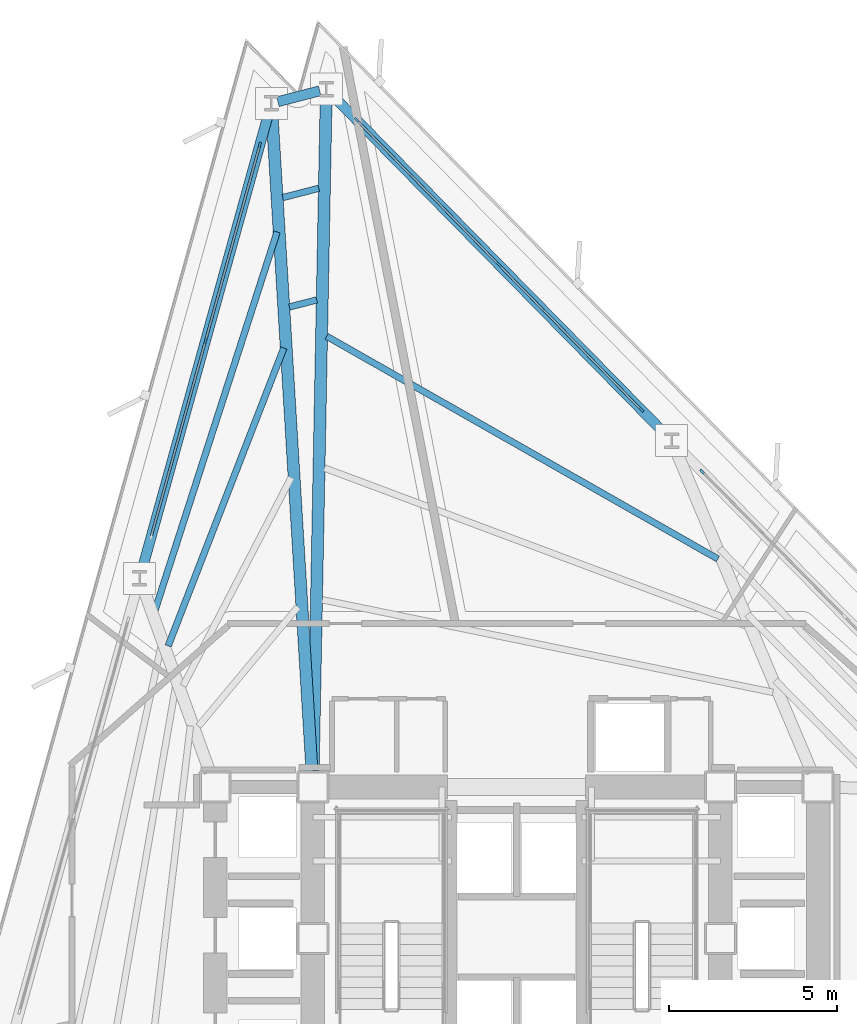
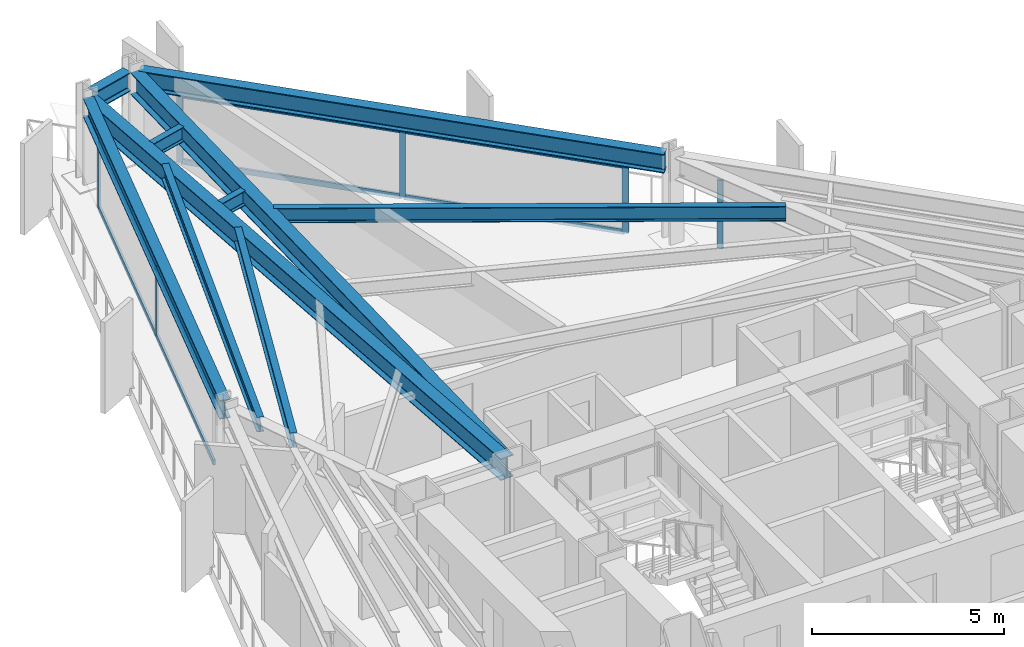
# One storey, part 5 of 11: 14 members, 10 beams, 3 elements without a shape of their own.
"""IFC4 building model written with IfcOpenShell, lengths in metres."""

import ifcopenshell
import ifcopenshell.guid

model = None  # the IFC model being written
_history = None  # IfcOwnerHistory: only IFC2X3 demands one
_inside = {}  # id of a spatial element -> (the spatial element, [elements in it])
_under = {}  # id of a project, library or spatial element -> (it, [spatial elements below it])
_declared = {}  # id of a project -> (the project, [libraries it declares])
_typed = {}  # id of a type object -> (the type object, [elements of that type])
_made_of = {}  # id of a material, layer set ... -> (it, [elements and type objects made of it])


def new_model(schema):
    """Start an empty IFC model of exactly this schema.

    Asked for "IFC4X3", IfcOpenShell would pick the latest addendum, in which some entities
    have other attributes; the version numbers below select the first issue.
    IFC2X3 requires an IfcOwnerHistory on every rooted entity: one is made here for all.
    """
    global model, _history
    if schema == "IFC4X3":
        model = ifcopenshell.file(schema_version=(4, 3, 0, 0))
    else:
        model = ifcopenshell.file(schema=schema)
    _inside.clear()
    _under.clear()
    _declared.clear()
    _typed.clear()
    _made_of.clear()
    _history = None
    if model.schema == "IFC2X3":
        org = make("IfcOrganization", Name="unknown")
        user = make(
            "IfcPersonAndOrganization",
            ThePerson=make("IfcPerson", FamilyName="unknown"),
            TheOrganization=org,
        )
        app = make(
            "IfcApplication",
            ApplicationDeveloper=org,
            Version="unknown",
            ApplicationFullName="unknown",
            ApplicationIdentifier="unknown",
        )
        _history = make(
            "IfcOwnerHistory",
            OwningUser=user,
            OwningApplication=app,
            ChangeAction="ADDED",
            CreationDate=0,
        )
    return model


def make(cls, **values):
    """One entity of the class cls with the attributes given. An attribute that is None is left unset."""
    return model.create_entity(
        cls, **{name: value for name, value in values.items() if value is not None}
    )


def rooted(cls, **values):
    """An entity with a GlobalId (a new one), such as an element, a storey or a relation."""
    return make(cls, GlobalId=ifcopenshell.guid.new(), OwnerHistory=_history, **values)


def si_unit(unit_type, name, prefix=None):
    """IfcSIUnit, for example si_unit("LENGTHUNIT", "METRE", prefix="MILLI")."""
    return make("IfcSIUnit", UnitType=unit_type, Prefix=prefix, Name=name)


def assignment(units):
    """IfcUnitAssignment: the units of a project."""
    return None if units is None else make("IfcUnitAssignment", Units=units)


def point(xyz):
    """IfcCartesianPoint."""
    return None if xyz is None else make("IfcCartesianPoint", Coordinates=xyz)


def direction(xyz):
    """IfcDirection."""
    return None if xyz is None else make("IfcDirection", DirectionRatios=xyz)


def frame(location, z_axis=None, x_axis=None):
    """IfcAxis2Placement3D, a coordinate frame: its origin and axes. An axis left out is left unset."""
    return make(
        "IfcAxis2Placement3D",
        Location=point(location),
        Axis=direction(z_axis),
        RefDirection=direction(x_axis),
    )


def frame_2d(location, x_axis=None):
    """IfcAxis2Placement2D, a coordinate frame in the plane: its origin and x axis."""
    return make(
        "IfcAxis2Placement2D", Location=point(location), RefDirection=direction(x_axis)
    )


def origin():
    """The frame at (0, 0, 0) with its axes left unset."""
    return frame((0.0, 0.0, 0.0))


def origin_2d():
    """The frame at (0, 0) in the plane with its x axis left unset."""
    return frame_2d((0.0, 0.0))


def place(relative_to, where):
    """IfcLocalPlacement: puts the frame where relative to a parent placement (None: the world)."""
    return make(
        "IfcLocalPlacement", PlacementRelTo=relative_to, RelativePlacement=where
    )


def context(
    kind, dimensions, precision=None, world=None, true_north=None, identifier=None
):
    """IfcGeometricRepresentationContext, for example the 3D "Model" context."""
    return make(
        "IfcGeometricRepresentationContext",
        ContextIdentifier=identifier,
        ContextType=kind,
        CoordinateSpaceDimension=dimensions,
        Precision=precision,
        WorldCoordinateSystem=world,
        TrueNorth=true_north,
    )


def subcontext(parent, identifier, kind, view, scale=None):
    """IfcGeometricRepresentationSubContext, for example "Body" below "Model"."""
    return make(
        "IfcGeometricRepresentationSubContext",
        ContextIdentifier=identifier,
        ContextType=kind,
        ParentContext=parent,
        TargetScale=scale,
        TargetView=view,
    )


def project(units=None, contexts=None):
    """IfcProject with its units and contexts."""
    return rooted(
        "IfcProject",
        Name="project",
        RepresentationContexts=contexts,
        UnitsInContext=assignment(units),
    )


def spatial(cls, under=None, at=None, **own):
    """A site, building, storey or space (cls), placed at a placement, below another one or the project."""
    s = rooted(cls, ObjectPlacement=at, **own)
    if under is not None:
        _under.setdefault(under.id(), (under, []))[1].append(s)
    return s


def profile(cls, at=None, kind="AREA", **sizes):
    """A parametric profile (cls). Its sizes go by their IFC names, for example OverallWidth=200.0."""
    return make(cls, ProfileType=kind, Position=at, **sizes)


def rectangle(**sizes):
    """IfcRectangleProfileDef."""
    return profile("IfcRectangleProfileDef", **sizes)


def i_section(**sizes):
    """IfcIShapeProfileDef."""
    return profile("IfcIShapeProfileDef", **sizes)


def extrude(swept, where, along, depth):
    """IfcExtrudedAreaSolid: the profile swept, set in the frame where, extruded along a direction by depth."""
    return make(
        "IfcExtrudedAreaSolid",
        SweptArea=swept,
        Position=where,
        ExtrudedDirection=direction(along),
        Depth=depth,
    )


def shape(context_of_items, identifier, shape_type, items):
    """IfcShapeRepresentation: the items that make up one representation, for example the "Body"."""
    return make(
        "IfcShapeRepresentation",
        ContextOfItems=context_of_items,
        RepresentationIdentifier=identifier,
        RepresentationType=shape_type,
        Items=items,
    )


def material(Name=None, Category=None):
    """IfcMaterial."""
    return make("IfcMaterial", Name=Name, Category=Category)


def layer(
    of_material, thickness, ventilated=None, Name=None, Category=None, Priority=None
):
    """IfcMaterialLayer: one layer of a wall or slab, of a material (None: an air gap)."""
    return make(
        "IfcMaterialLayer",
        Material=of_material,
        LayerThickness=thickness,
        IsVentilated=ventilated,
        Name=Name,
        Category=Category,
        Priority=Priority,
    )


def layer_set(layers, Name=None):
    """IfcMaterialLayerSet."""
    return make("IfcMaterialLayerSet", MaterialLayers=layers, LayerSetName=Name)


def material_profile(
    of_material, cross_section, Name=None, Category=None, Priority=None
):
    """IfcMaterialProfile: a cross section and its material."""
    return make(
        "IfcMaterialProfile",
        Name=Name,
        Material=of_material,
        Profile=cross_section,
        Priority=Priority,
        Category=Category,
    )


def profile_set(profiles, Name=None, composite=None):
    """IfcMaterialProfileSet."""
    return make(
        "IfcMaterialProfileSet",
        Name=Name,
        MaterialProfiles=profiles,
        CompositeProfile=composite,
    )


def made_of(thing, what):
    """Note that an element or type object is made of a material, layer set ...; save() writes the relation."""
    if what is not None:
        _made_of.setdefault(what.id(), (what, []))[1].append(thing)
    return thing


def type_object(cls, material=None, **own):
    """A type object (cls), such as IfcWallType, which elements share."""
    return made_of(rooted(cls, **own), material)


def element(
    cls,
    number,
    at=None,
    inside=None,
    cuts=None,
    type_object=None,
    material=None,
    context=None,
    identifier="Body",
    shape_type=None,
    held_by="IfcProductDefinitionShape",
    body=None,
    shapes=None,
    **own,
):
    """One element of the class cls, such as IfcWall. Its Tag is "e" and its number.

    at: its placement. inside: the storey or other place that contains it. cuts: it is an
    opening in that element (IfcRelVoidsElement). A single representation is given by context,
    identifier, shape_type and body (its items); several are given by shapes. held_by: the class
    of the entity that holds the representations. save() writes the other relations.
    """
    e = rooted(cls, Tag="e%d" % number, ObjectPlacement=at, **own)
    if body is not None:
        shapes = [shape(context, identifier, shape_type, body)]
    if shapes is not None:
        e.Representation = make(held_by, Representations=shapes)
    if inside is not None:
        _inside.setdefault(inside.id(), (inside, []))[1].append(e)
    if cuts is not None:
        rooted(
            "IfcRelVoidsElement", RelatingBuildingElement=cuts, RelatedOpeningElement=e
        )
    if type_object is not None:
        _typed.setdefault(type_object.id(), (type_object, []))[1].append(e)
    return made_of(e, material)


def aggregate(whole, parts):
    """IfcRelAggregates: a whole, such as a stair, and the parts it consists of."""
    return rooted("IfcRelAggregates", RelatingObject=whole, RelatedObjects=parts)


def save(model, path):
    """Write the relations noted so far, then the file.

    IfcRelAggregates (storeys below a building ...), IfcRelContainedInSpatialStructure (elements
    in a storey), IfcRelDefinesByType, IfcRelAssociatesMaterial and IfcRelDeclares: one each for
    every whole, place, type object, material and project.
    """
    for whole, parts in _under.values():
        aggregate(whole, parts)
    for where, things in _inside.values():
        rooted(
            "IfcRelContainedInSpatialStructure",
            RelatedElements=things,
            RelatingStructure=where,
        )
    for kind, things in _typed.values():
        rooted("IfcRelDefinesByType", RelatedObjects=things, RelatingType=kind)
    for what, things in _made_of.values():
        rooted("IfcRelAssociatesMaterial", RelatedObjects=things, RelatingMaterial=what)
    for by, libraries in _declared.values():
        rooted("IfcRelDeclares", RelatingContext=by, RelatedDefinitions=libraries)
    model.write(path)


model = new_model("IFC4")

# Units and contexts
model_context = context("Model", 3, precision=1e-05, world=origin(), true_north=direction((0.0, 1.0)))
body_context = subcontext(model_context, "Body", "Model", "MODEL_VIEW")
ifc_project = project(units=[si_unit("LENGTHUNIT", "METRE"), si_unit("AREAUNIT", "SQUARE_METRE"), si_unit("VOLUMEUNIT", "CUBIC_METRE"), si_unit("PLANEANGLEUNIT", "RADIAN"), si_unit("MASSUNIT", "GRAM", prefix="KILO")], contexts=[model_context])

# Site, building, storey
site_placement = place(None, origin())
site = spatial("IfcSite", under=ifc_project, at=site_placement, CompositionType="ELEMENT")
building_placement = place(site_placement, origin())
building = spatial("IfcBuilding", under=site, at=building_placement, Name="Rocaltana Carrier Exchange", CompositionType="ELEMENT")
storey_placement = place(building_placement, frame((0.0, 0.0, 76.47998046875)))
storey = spatial("IfcBuildingStorey", under=building, at=storey_placement, Name="L23", CompositionType="ELEMENT", Elevation=76.47998046875)

# Curtain wall, member
ifc_material_1 = material(Name="Aluminium 6063-T6", Category="aluminium")
ifc_layer = layer(ifc_material_1, 0.1650390625)
ifc_layer_set = layer_set([ifc_layer], Name="Aluminium 6063-T6")
curtain_wall_type = type_object("IfcCurtainWallType", Name="Lower-Mid Stepped Curtain Wall CW-02", PredefinedType="NOTDEFINED", material=ifc_layer_set)
curtain_wall_1_placement = place(storey_placement, origin())
curtain_wall_1 = element("IfcCurtainWall", 1, at=curtain_wall_1_placement, inside=storey, type_object=curtain_wall_type, Name="L23 CW-02 Run CW-L23-F1S2", PredefinedType="NOTDEFINED")
ifc_material_2 = material(Name="Aluminium 6063-T6", Category="aluminium")
ifc_material_profile_1 = material_profile(ifc_material_2, rectangle(XDim=0.06494140625, YDim=0.1650390625, at=origin_2d()), Name="AL-65X165")
ifc_profile_set_1 = profile_set([ifc_material_profile_1], Name="Aluminium 6063-T6")
member_type_1 = type_object("IfcMemberType", Name="CW-02 Mullion AL-65X165", PredefinedType="MULLION", material=ifc_profile_set_1)
member_1_placement = place(storey_placement, frame((5.503173828125, 13.8681640625, 0.0), z_axis=(0.0, 0.0, 1.0), x_axis=(-0.713244696676, -0.700915118017, 0.0)))
member_1 = element("IfcMember", 2, at=member_1_placement, type_object=member_type_1, Name="CW-02 mullion 3", PredefinedType="MULLION", context=body_context, shape_type="SweptSolid", body=[
    extrude(rectangle(XDim=0.06494140625, YDim=0.1650390625, at=origin_2d()), origin(), (0.0, 0.0, 1.0), 2.16796875),
])
aggregate(curtain_wall_1, [member_1])

# Curtain wall, members
curtain_wall_2_placement = place(storey_placement, origin())
curtain_wall_2 = element("IfcCurtainWall", 3, at=curtain_wall_2_placement, inside=storey, type_object=curtain_wall_type, Name="L23 CW-02 Run CW-L23-F1S3", PredefinedType="NOTDEFINED")
member_2_placement = place(storey_placement, frame((3.70556640625, 15.69775390625, 0.0), z_axis=(0.0, 0.0, 1.0), x_axis=(-0.713244767898, -0.700915045542, 0.0)))
member_2 = element("IfcMember", 4, at=member_2_placement, type_object=member_type_1, Name="CW-02 mullion 1", PredefinedType="MULLION", context=body_context, shape_type="SweptSolid", body=[
    extrude(rectangle(XDim=0.06494140625, YDim=0.1650390625, at=origin_2d()), origin(), (0.0, 0.0, 1.0), 2.16796875),
])
member_3_placement = place(storey_placement, frame((-0.52392578125, 20.001708984375, 0.0), z_axis=(0.0, 0.0, 1.0), x_axis=(-0.713244767898, -0.700915045542, 0.0)))
member_3 = element("IfcMember", 5, at=member_3_placement, type_object=member_type_1, Name="CW-02 mullion 2", PredefinedType="MULLION", context=body_context, shape_type="SweptSolid", body=[
    extrude(rectangle(XDim=0.06494140625, YDim=0.1650390625, at=origin_2d()), origin(), (0.0, 0.0, 1.0), 2.16796875),
])
member_4_placement = place(storey_placement, frame((-4.75341796875, 24.305419921875, 0.0), z_axis=(0.0, 0.0, 1.0), x_axis=(-0.713244767898, -0.700915045542, 0.0)))
member_4 = element("IfcMember", 6, at=member_4_placement, type_object=member_type_1, Name="CW-02 mullion 3", PredefinedType="MULLION", context=body_context, shape_type="SweptSolid", body=[
    extrude(rectangle(XDim=0.06494140625, YDim=0.1650390625, at=origin_2d()), origin(), (0.0, 0.0, 1.0), 2.16796875),
])

curtain_wall_3_placement = place(storey_placement, origin())
curtain_wall_3 = element("IfcCurtainWall", 7, at=curtain_wall_3_placement, inside=storey, type_object=curtain_wall_type, Name="L23 CW-02 Run CW-L23-F2S1", PredefinedType="NOTDEFINED")
member_5_placement = place(storey_placement, frame((-7.626220703125, 23.5625, 0.0), z_axis=(0.0, 0.0, 1.0), x_axis=(0.96362846453, -0.267245546918, 0.0)))
member_5 = element("IfcMember", 8, at=member_5_placement, type_object=member_type_1, Name="CW-02 mullion 1", PredefinedType="MULLION", context=body_context, shape_type="SweptSolid", body=[
    extrude(rectangle(XDim=0.06494140625, YDim=0.1650390625, at=origin_2d()), origin(), (0.0, 0.0, 1.0), 2.16796875),
])
member_6_placement = place(storey_placement, frame((-9.23876953125, 17.747802734375, 0.0), z_axis=(0.0, 0.0, 1.0), x_axis=(0.96362846453, -0.267245546918, 0.0)))
member_6 = element("IfcMember", 9, at=member_6_placement, type_object=member_type_1, Name="CW-02 mullion 2", PredefinedType="MULLION", context=body_context, shape_type="SweptSolid", body=[
    extrude(rectangle(XDim=0.06494140625, YDim=0.1650390625, at=origin_2d()), origin(), (0.0, 0.0, 1.0), 2.16796875),
])

# Member
ifc_material_3 = material(Name="Aluminium 6063-T6", Category="aluminium")
ifc_material_profile_2 = material_profile(ifc_material_3, rectangle(XDim=0.06494140625, YDim=0.1650390625, at=origin_2d()), Name="AL-65X165")
ifc_profile_set_2 = profile_set([ifc_material_profile_2], Name="Aluminium 6063-T6")
member_type_2 = type_object("IfcMemberType", Name="CW-02 Transom AL-65X165", PredefinedType="USERDEFINED", material=ifc_profile_set_2)
member_7_placement = place(storey_placement, frame((3.682861328125, 15.720947265625, 0.032470703125), z_axis=(-0.700924711343, 0.713235269058, 0.0), x_axis=(-0.713235269058, -0.700924711343, 0.0)))
member_7 = element("IfcMember", 10, at=member_7_placement, type_object=member_type_2, Name="CW-02 transom 1.1", ObjectType="TRANSOM", PredefinedType="USERDEFINED", context=body_context, shape_type="SweptSolid", body=[
    extrude(rectangle(XDim=0.06494140625, YDim=0.1650390625, at=origin_2d()), origin(), (0.0, 0.0, 1.0), 5.969482421875),
])

member_8_placement = place(storey_placement, frame((3.682861328125, 15.720947265625, 2.135498046875), z_axis=(-0.700924711343, 0.713235269058, 0.0), x_axis=(-0.713235269058, -0.700924711343, 0.0)))
member_8 = element("IfcMember", 11, at=member_8_placement, type_object=member_type_2, Name="CW-02 transom 1.2", ObjectType="TRANSOM", PredefinedType="USERDEFINED", context=body_context, shape_type="SweptSolid", body=[
    extrude(rectangle(XDim=0.06494140625, YDim=0.1650390625, at=origin_2d()), origin(), (0.0, 0.0, 1.0), 5.969482421875),
])

member_9_placement = place(storey_placement, frame((-0.546630859375, 20.02490234375, 0.032470703125), z_axis=(-0.700924352217, 0.713235621985, 0.0), x_axis=(-0.713235621985, -0.700924352217, 0.0)))
member_9 = element("IfcMember", 12, at=member_9_placement, type_object=member_type_2, Name="CW-02 transom 2.1", ObjectType="TRANSOM", PredefinedType="USERDEFINED", context=body_context, shape_type="SweptSolid", body=[
    extrude(rectangle(XDim=0.06494140625, YDim=0.1650390625, at=origin_2d()), origin(), (0.0, 0.0, 1.0), 5.968994140625),
])

member_10_placement = place(storey_placement, frame((-0.546630859375, 20.02490234375, 2.135498046875), z_axis=(-0.700924352217, 0.713235621985, 0.0), x_axis=(-0.713235621985, -0.700924352217, 0.0)))
member_10 = element("IfcMember", 13, at=member_10_placement, type_object=member_type_2, Name="CW-02 transom 2.2", ObjectType="TRANSOM", PredefinedType="USERDEFINED", context=body_context, shape_type="SweptSolid", body=[
    extrude(rectangle(XDim=0.06494140625, YDim=0.1650390625, at=origin_2d()), origin(), (0.0, 0.0, 1.0), 5.968994140625),
])

aggregate(curtain_wall_2, [member_2, member_3, member_4, member_7, member_8, member_9, member_10])

member_11_placement = place(storey_placement, frame((-7.634765625, 23.53125, 0.032470703125), z_axis=(-0.267274698809, -0.963620379287, 0.0), x_axis=(0.963620379287, -0.267274698809, 0.0)))
member_11 = element("IfcMember", 14, at=member_11_placement, type_object=member_type_2, Name="CW-02 transom 1.1", ObjectType="TRANSOM", PredefinedType="USERDEFINED", context=body_context, shape_type="SweptSolid", body=[
    extrude(rectangle(XDim=0.06494140625, YDim=0.1650390625, at=origin_2d()), origin(), (0.0, 0.0, 1.0), 5.96923828125),
])

member_12_placement = place(storey_placement, frame((-7.634765625, 23.53125, 2.135498046875), z_axis=(-0.267274698809, -0.963620379287, 0.0), x_axis=(0.963620379287, -0.267274698809, 0.0)))
member_12 = element("IfcMember", 15, at=member_12_placement, type_object=member_type_2, Name="CW-02 transom 1.2", ObjectType="TRANSOM", PredefinedType="USERDEFINED", context=body_context, shape_type="SweptSolid", body=[
    extrude(rectangle(XDim=0.06494140625, YDim=0.1650390625, at=origin_2d()), origin(), (0.0, 0.0, 1.0), 5.96923828125),
])

member_13_placement = place(storey_placement, frame((-9.24755859375, 17.716552734375, 0.032470703125), z_axis=(-0.267236720875, -0.963630912235, 0.0), x_axis=(0.963630912235, -0.267236720875, 0.0)))
member_13 = element("IfcMember", 16, at=member_13_placement, type_object=member_type_2, Name="CW-02 transom 2.1", ObjectType="TRANSOM", PredefinedType="USERDEFINED", context=body_context, shape_type="SweptSolid", body=[
    extrude(rectangle(XDim=0.06494140625, YDim=0.1650390625, at=origin_2d()), origin(), (0.0, 0.0, 1.0), 5.96923828125),
])

member_14_placement = place(storey_placement, frame((-9.24755859375, 17.716552734375, 2.135498046875), z_axis=(-0.267236720875, -0.963630912235, 0.0), x_axis=(0.963630912235, -0.267236720875, 0.0)))
member_14 = element("IfcMember", 17, at=member_14_placement, type_object=member_type_2, Name="CW-02 transom 2.2", ObjectType="TRANSOM", PredefinedType="USERDEFINED", context=body_context, shape_type="SweptSolid", body=[
    extrude(rectangle(XDim=0.06494140625, YDim=0.1650390625, at=origin_2d()), origin(), (0.0, 0.0, 1.0), 5.96923828125),
])

aggregate(curtain_wall_3, [member_5, member_6, member_11, member_12, member_13, member_14])

# Beams
ifc_material_4 = material(Name="Steel S355", Category="steel")
ifc_material_profile_3 = material_profile(ifc_material_4, i_section(OverallWidth=0.193115234375, OverallDepth=0.466064453125, WebThickness=0.011474609375, FlangeThickness=0.01904296875, FilletRadius=0.013916015625, at=origin_2d()), Name="W18X65")
ifc_profile_set_3 = profile_set([ifc_material_profile_3], Name="Steel S355")
beam_type_1 = type_object("IfcBeamType", Name="Floor Joist W18X65", PredefinedType="JOIST", material=ifc_profile_set_3)
beam_1_placement = place(storey_placement, frame((5.976318359375, 11.268798828125, 2.554931640625), z_axis=(-0.869038762024, 0.494744004613, 0.0), x_axis=(-0.494744004613, -0.869038762024, 0.0)))
element("IfcBeam", 18, at=beam_1_placement, inside=storey, type_object=beam_type_1, Name="FJ-L23-03-3", PredefinedType="JOIST", context=body_context, shape_type="SweptSolid", body=[
    extrude(i_section(OverallWidth=0.193115234375, OverallDepth=0.466064453125, WebThickness=0.011474609375, FlangeThickness=0.01904296875, FilletRadius=0.013916015625, at=origin_2d()), origin(), (0.0, 0.0, 1.0), 13.36962890625),
])
beam_2_placement = place(storey_placement, frame((-5.9375, 18.961181640625, 2.554931640625), z_axis=(-0.968135931974, -0.250425272727, 0.0), x_axis=(0.250425272727, -0.968135931974, 0.0)))
element("IfcBeam", 19, at=beam_2_placement, inside=storey, type_object=beam_type_1, Name="FJ-L23-04-3", PredefinedType="JOIST", context=body_context, shape_type="SweptSolid", body=[
    extrude(i_section(OverallWidth=0.193115234375, OverallDepth=0.466064453125, WebThickness=0.011474609375, FlangeThickness=0.01904296875, FilletRadius=0.013916015625, at=origin_2d()), origin(), (0.0, 0.0, 1.0), 0.83642578125),
])
beam_3_placement = place(storey_placement, frame((-5.873779296875, 22.2763671875, 2.554931640625), z_axis=(-0.968177342662, -0.25026512573, 0.0), x_axis=(0.25026512573, -0.968177342662, 0.0)))
element("IfcBeam", 20, at=beam_3_placement, inside=storey, type_object=beam_type_1, Name="FJ-L23-04-4", PredefinedType="JOIST", context=body_context, shape_type="SweptSolid", body=[
    extrude(i_section(OverallWidth=0.193115234375, OverallDepth=0.466064453125, WebThickness=0.011474609375, FlangeThickness=0.01904296875, FilletRadius=0.013916015625, at=origin_2d()), origin(), (0.0, 0.0, 1.0), 1.106201171875),
])
beam_4_placement = place(storey_placement, frame((-6.913818359375, 17.533935546875, 2.554931640625), z_axis=(-0.361784373261, -0.93226180189, 0.0), x_axis=(0.93226180189, -0.361784373261, 0.0)))
element("IfcBeam", 21, at=beam_4_placement, inside=storey, type_object=beam_type_1, Name="FJ-L23-05-3", PredefinedType="JOIST", context=body_context, shape_type="SweptSolid", body=[
    extrude(i_section(OverallWidth=0.193115234375, OverallDepth=0.466064453125, WebThickness=0.011474609375, FlangeThickness=0.01904296875, FilletRadius=0.013916015625, at=origin_2d()), origin(), (0.0, 0.0, 1.0), 9.48876953125),
])
beam_5_placement = place(storey_placement, frame((-7.114013671875, 20.9814453125, 2.554931640625), z_axis=(-0.306913359242, -0.951737458504, 0.0), x_axis=(0.951737458504, -0.306913359242, 0.0)))
element("IfcBeam", 22, at=beam_5_placement, inside=storey, type_object=beam_type_1, Name="FJ-L23-05-4", PredefinedType="JOIST", context=body_context, shape_type="SweptSolid", body=[
    extrude(i_section(OverallWidth=0.193115234375, OverallDepth=0.466064453125, WebThickness=0.011474609375, FlangeThickness=0.01904296875, FilletRadius=0.013916015625, at=origin_2d()), origin(), (0.0, 0.0, 1.0), 11.806396484375),
])
ifc_material_5 = material(Name="Steel S355", Category="steel")
ifc_material_profile_4 = material_profile(ifc_material_5, i_section(OverallWidth=0.35498046875, OverallDepth=0.695068359375, WebThickness=0.015380859375, FlangeThickness=0.02490234375, FilletRadius=0.01806640625, at=origin_2d()), Name="W27X146")
ifc_profile_set_4 = profile_set([ifc_material_profile_4], Name="Steel S355")
beam_type_2 = type_object("IfcBeamType", Name="Radial Girder W27X146", PredefinedType="BEAM", material=ifc_profile_set_4)
beam_6_placement = place(storey_placement, frame((-6.041015625, 4.966796875, 2.4404296875), z_axis=(0.019196559381, 0.999815729076, 0.0), x_axis=(-0.999815729076, 0.019196559381, 0.0)))
element("IfcBeam", 23, at=beam_6_placement, inside=storey, type_object=beam_type_2, Name="RG-L23-04", PredefinedType="BEAM", context=body_context, shape_type="SweptSolid", body=[
    extrude(i_section(OverallWidth=0.35498046875, OverallDepth=0.695068359375, WebThickness=0.015380859375, FlangeThickness=0.02490234375, FilletRadius=0.01806640625, at=origin_2d()), origin(), (0.0, 0.0, 1.0), 20.05615234375),
])
beam_7_placement = place(storey_placement, frame((-6.078369140625, 4.966064453125, 2.4404296875), z_axis=(-0.060650968736, 0.99815903542, 0.0), x_axis=(-0.99815903542, -0.060650968736, 0.0)))
element("IfcBeam", 24, at=beam_7_placement, inside=storey, type_object=beam_type_2, Name="RG-L23-05", PredefinedType="BEAM", context=body_context, shape_type="SweptSolid", body=[
    extrude(i_section(OverallWidth=0.35498046875, OverallDepth=0.695068359375, WebThickness=0.015380859375, FlangeThickness=0.02490234375, FilletRadius=0.01806640625, at=origin_2d()), origin(), (0.0, 0.0, 1.0), 19.667724609375),
])
ifc_material_6 = material(Name="Steel S355", Category="steel")
ifc_material_profile_5 = material_profile(ifc_material_6, i_section(OverallWidth=0.300048828125, OverallDepth=0.60009765625, WebThickness=0.015380859375, FlangeThickness=0.030029296875, FilletRadius=0.027099609375, at=origin_2d()), Name="HEB600")
ifc_profile_set_5 = profile_set([ifc_material_profile_5], Name="Steel S355")
beam_type_3 = type_object("IfcBeamType", Name="Spandrel Edge Beam HEB600", PredefinedType="SPANDREL", material=ifc_profile_set_5)
beam_8_placement = place(storey_placement, frame((4.46337890625, 14.926513671875, 2.488037109375), z_axis=(-0.700903840952, 0.713255778623, 0.0), x_axis=(-0.713255778623, -0.700903840952, 0.0)))
element("IfcBeam", 25, at=beam_8_placement, inside=storey, type_object=beam_type_3, Name="SP-L23-03", PredefinedType="SPANDREL", context=body_context, shape_type="SweptSolid", body=[
    extrude(i_section(OverallWidth=0.300048828125, OverallDepth=0.60009765625, WebThickness=0.015380859375, FlangeThickness=0.030029296875, FilletRadius=0.027099609375, at=origin_2d()), origin(), (0.0, 0.0, 1.0), 14.23095703125),
])
beam_9_placement = place(storey_placement, frame((-5.8466796875, 25.169921875, 2.488037109375), z_axis=(-0.96814054922, -0.250407421929, 0.0), x_axis=(0.250407421929, -0.96814054922, 0.0)))
element("IfcBeam", 26, at=beam_9_placement, inside=storey, type_object=beam_type_3, Name="SP-L23-04", PredefinedType="SPANDREL", context=body_context, shape_type="SweptSolid", body=[
    extrude(i_section(OverallWidth=0.300048828125, OverallDepth=0.60009765625, WebThickness=0.015380859375, FlangeThickness=0.030029296875, FilletRadius=0.027099609375, at=origin_2d()), origin(), (0.0, 0.0, 1.0), 1.282958984375),
])
beam_10_placement = place(storey_placement, frame((-7.337158203125, 24.6044921875, 2.488037109375), z_axis=(-0.267244796471, -0.963628672653, 0.0), x_axis=(0.963628672653, -0.267244796471, 0.0)))
element("IfcBeam", 27, at=beam_10_placement, inside=storey, type_object=beam_type_3, Name="SP-L23-05", PredefinedType="SPANDREL", context=body_context, shape_type="SweptSolid", body=[
    extrude(i_section(OverallWidth=0.300048828125, OverallDepth=0.60009765625, WebThickness=0.015380859375, FlangeThickness=0.030029296875, FilletRadius=0.027099609375, at=origin_2d()), origin(), (0.0, 0.0, 1.0), 14.231201171875),
])

save(model, "model.ifc")
